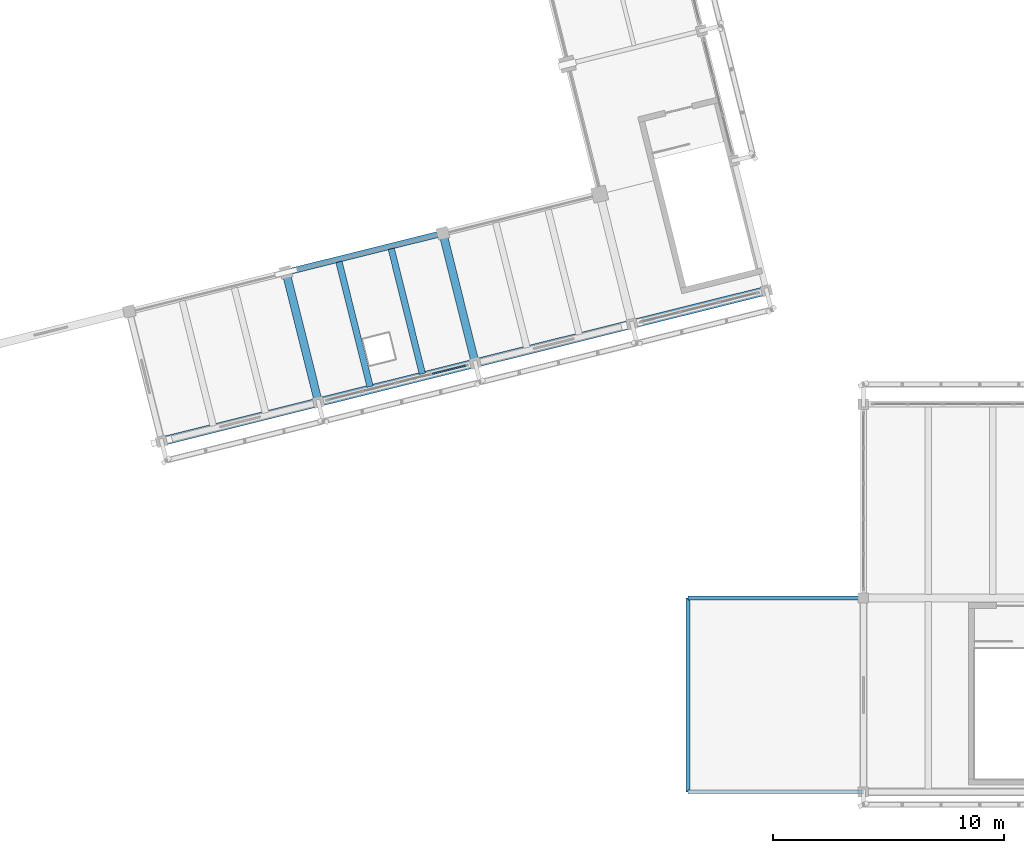
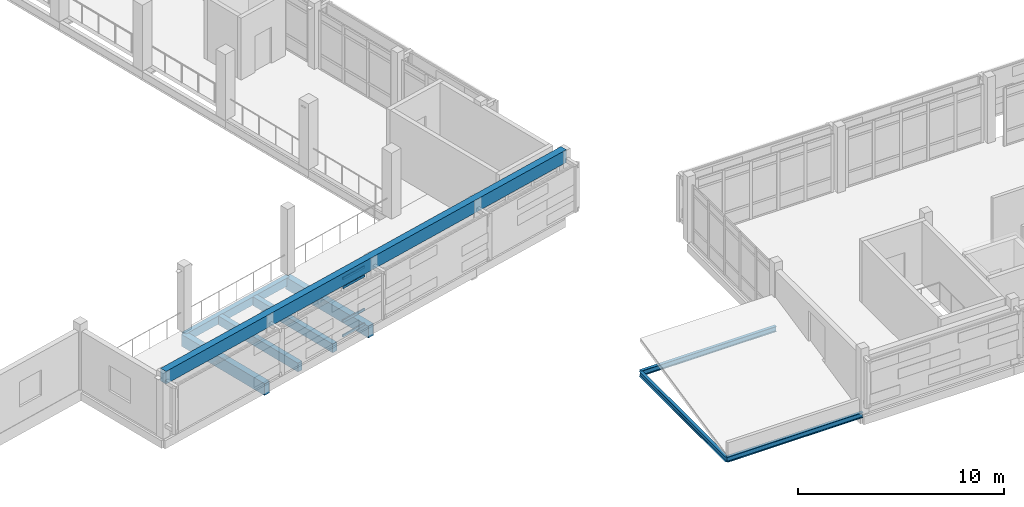
# One storey, part 8 of 117: 9 beams, 4 members, 1 element without a shape of its own.
"""IFC4 building model written with IfcOpenShell, lengths in metres."""

from ifc_helpers import new_model, si_unit, direction, frame, origin, origin_2d, place, context, subcontext, project, spatial, rectangle, i_section, extrude, material, material_profile, profile_set, type_object, element, aggregate, save


model = new_model("IFC4")

# Units and contexts
model_context = context("Model", 3, precision=1e-05, world=origin(), true_north=direction((0.0, 1.0)))
body_context = subcontext(model_context, "Body", "Model", "MODEL_VIEW")
ifc_project = project(units=[si_unit("LENGTHUNIT", "METRE"), si_unit("AREAUNIT", "SQUARE_METRE"), si_unit("VOLUMEUNIT", "CUBIC_METRE"), si_unit("PLANEANGLEUNIT", "RADIAN"), si_unit("MASSUNIT", "GRAM", prefix="KILO")], contexts=[model_context])

# Site, building, storey
site_placement = place(None, origin())
site = spatial("IfcSite", under=ifc_project, at=site_placement, CompositionType="ELEMENT")
building_placement = place(site_placement, origin())
building = spatial("IfcBuilding", under=site, at=building_placement, Name="Cinderway Yard Community Centre", CompositionType="ELEMENT")
storey_placement = place(building_placement, frame((0.0, 0.0, 9.0)))
storey = spatial("IfcBuildingStorey", under=building, at=storey_placement, Name="L02", CompositionType="ELEMENT", Elevation=9.0)

# Curtain wall, members
ifc_material_1 = material(Name="Aluminium 6063-T6", Category="aluminium")
curtain_wall_type = type_object("IfcCurtainWallType", Name="ENV-CW-TYPE-08", PredefinedType="USERDEFINED", material=ifc_material_1)
curtain_wall_placement = place(storey_placement, origin())
curtain_wall = element("IfcCurtainWall", 1, at=curtain_wall_placement, inside=storey, type_object=curtain_wall_type, Name="Sanctuary South Curtain Wall ENV-CW-L02-HS-0027", ObjectType="GLAZED CURTAIN WALL", PredefinedType="USERDEFINED")
ifc_material_profile_1 = material_profile(ifc_material_1, rectangle(XDim=0.06494140625, YDim=0.139892578125, at=origin_2d()), Name="Aluminium 6063-T6")
ifc_profile_set_1 = profile_set([ifc_material_profile_1], Name="Aluminium 6063-T6")
member_type = type_object("IfcMemberType", Name="ENV-CW-TRAN-140", PredefinedType="USERDEFINED", material=ifc_profile_set_1)
member_1_placement = place(storey_placement, frame((39.735595703125, 24.10693359375, 0.030029296875), z_axis=(0.970318108791, 0.241832106539, 0.0), x_axis=(-0.241832106539, 0.970318108791, 0.0)))
member_1 = element("IfcMember", 2, at=member_1_placement, type_object=member_type, Name="CW-08 transom 4.1", ObjectType="TRANSOM", PredefinedType="USERDEFINED", context=body_context, shape_type="SweptSolid", body=[
    extrude(rectangle(XDim=0.06494140625, YDim=0.139892578125, at=origin_2d()), origin(), (0.0, 0.0, 1.0), 1.469970703125),
])
member_2_placement = place(storey_placement, frame((39.735595703125, 24.10693359375, 0.89990234375), z_axis=(0.970318108791, 0.241832106539, 0.0), x_axis=(-0.241832106539, 0.970318108791, 0.0)))
member_2 = element("IfcMember", 3, at=member_2_placement, type_object=member_type, Name="CW-08 transom 4.2", ObjectType="TRANSOM", PredefinedType="USERDEFINED", context=body_context, shape_type="SweptSolid", body=[
    extrude(rectangle(XDim=0.06494140625, YDim=0.139892578125, at=origin_2d()), origin(), (0.0, 0.0, 1.0), 1.469970703125),
])
member_3_placement = place(storey_placement, frame((39.735595703125, 24.10693359375, 2.89990234375), z_axis=(0.970318108791, 0.241832106539, 0.0), x_axis=(-0.241832106539, 0.970318108791, 0.0)))
member_3 = element("IfcMember", 4, at=member_3_placement, type_object=member_type, Name="CW-08 transom 4.3", ObjectType="TRANSOM", PredefinedType="USERDEFINED", context=body_context, shape_type="SweptSolid", body=[
    extrude(rectangle(XDim=0.06494140625, YDim=0.139892578125, at=origin_2d()), origin(), (0.0, 0.0, 1.0), 1.469970703125),
])
member_4_placement = place(storey_placement, frame((39.735595703125, 24.10693359375, 3.419921875), z_axis=(0.970318108791, 0.241832106539, 0.0), x_axis=(-0.241832106539, 0.970318108791, 0.0)))
member_4 = element("IfcMember", 5, at=member_4_placement, type_object=member_type, Name="CW-08 transom 4.4", ObjectType="TRANSOM", PredefinedType="USERDEFINED", context=body_context, shape_type="SweptSolid", body=[
    extrude(rectangle(XDim=0.06494140625, YDim=0.139892578125, at=origin_2d()), origin(), (0.0, 0.0, 1.0), 1.469970703125),
])
aggregate(curtain_wall, [member_1, member_2, member_3, member_4])

# Beams
ifc_material_2 = material(Name="Concrete C40/50", Category="concrete")
ifc_material_profile_2 = material_profile(ifc_material_2, rectangle(XDim=0.260009765625, YDim=0.47998046875, at=origin_2d()), Name="Concrete C40/50")
ifc_profile_set_2 = profile_set([ifc_material_profile_2], Name="Concrete C40/50")
beam_type_1 = type_object("IfcBeamType", Name="STR-BM-RC260X480", PredefinedType="SPANDREL", material=ifc_profile_set_2)
beam_1_placement = place(storey_placement, frame((33.39404296875, 28.50390625, -0.47998046875), z_axis=(0.970306409839, 0.241879042136, 0.0), x_axis=(-0.241879042136, 0.970306409839, 0.0)))
element("IfcBeam", 6, at=beam_1_placement, inside=storey, type_object=beam_type_1, Name="Primary girder STR-BM-L02-SP01-0330", PredefinedType="SPANDREL", context=body_context, shape_type="SweptSolid", body=[
    extrude(rectangle(XDim=0.260009765625, YDim=0.47998046875, at=origin_2d()), origin(), (0.0, 0.0, 1.0), 6.999755859375),
])
ifc_material_3 = material(Name="Concrete C35/45", Category="concrete")
ifc_material_profile_3 = material_profile(ifc_material_3, rectangle(XDim=0.280029296875, YDim=0.52001953125, at=origin_2d()), Name="Concrete C35/45")
ifc_profile_set_3 = profile_set([ifc_material_profile_3], Name="Concrete C35/45")
beam_type_2 = type_object("IfcBeamType", Name="STR-BM-RC280X520", PredefinedType="JOIST", material=ifc_profile_set_3)
beam_2_placement = place(storey_placement, frame((37.033935546875, 23.549072265625, -0.5), z_axis=(-0.241886591041, 0.970304528009, 0.0), x_axis=(-0.970304528009, -0.241886591041, 0.0)))
element("IfcBeam", 7, at=beam_2_placement, inside=storey, type_object=beam_type_2, Name="Secondary joist STR-BM-L02-BJ04-0339", PredefinedType="JOIST", context=body_context, shape_type="SweptSolid", body=[
    extrude(rectangle(XDim=0.280029296875, YDim=0.52001953125, at=origin_2d()), origin(), (0.0, 0.0, 1.0), 5.576416015625),
])
beam_3_placement = place(storey_placement, frame((39.298095703125, 24.114013671875, -0.5), z_axis=(-0.241968923775, 0.970283999624, 0.0), x_axis=(-0.970283999624, -0.241968923775, 0.0)))
element("IfcBeam", 8, at=beam_3_placement, inside=storey, type_object=beam_type_2, Name="Secondary joist STR-BM-L02-BJ04-0340", PredefinedType="JOIST", context=body_context, shape_type="SweptSolid", body=[
    extrude(rectangle(XDim=0.280029296875, YDim=0.52001953125, at=origin_2d()), origin(), (0.0, 0.0, 1.0), 5.57568359375),
])
ifc_material_profile_4 = material_profile(ifc_material_3, rectangle(XDim=0.35009765625, YDim=0.699951171875, at=origin_2d()), Name="Concrete C35/45")
ifc_profile_set_4 = profile_set([ifc_material_profile_4], Name="Concrete C35/45")
beam_type_3 = type_object("IfcBeamType", Name="STR-BM-RC350X700", PredefinedType="BEAM", material=ifc_profile_set_4)
for number, where, z_axis, x_axis, name in (
    (9, (34.797119140625, 22.8759765625, -0.590087890625), (-0.2419017199, 0.97030075642, 0.0), (-0.97030075642, -0.2419017199, 0.0), "Transverse girder STR-BM-L02-BG07-0333"),
    (10, (41.589111328125, 24.569091796875, -0.590087890625), (-0.2419017199, 0.97030075642, 0.0), (-0.97030075642, -0.2419017199, 0.0), "Transverse girder STR-BM-L02-BG07-0334"),
):
    element("IfcBeam", number, at=place(storey_placement, frame(where, z_axis=z_axis, x_axis=x_axis)), inside=storey, type_object=beam_type_3, Name=name, PredefinedType="BEAM", context=body_context, shape_type="SweptSolid", body=[
        extrude(rectangle(XDim=0.35009765625, YDim=0.699951171875, at=origin_2d()), origin(), (0.0, 0.0, 1.0), 5.80029296875),
    ])
ifc_material_profile_5 = material_profile(ifc_material_3, rectangle(XDim=0.3798828125, YDim=0.75, at=origin_2d()), Name="Concrete C35/45")
ifc_profile_set_5 = profile_set([ifc_material_profile_5], Name="Concrete C35/45")
beam_type_4 = type_object("IfcBeamType", Name="STR-BM-RC380X750", PredefinedType="BEAM", material=ifc_profile_set_5)
beam_4_placement = place(storey_placement, frame((28.0048828125, 21.18310546875, 3.52490234375), z_axis=(0.970303451881, 0.241890907781, 0.0), x_axis=(-0.241890907781, 0.970303451881, 0.0)))
element("IfcBeam", 11, at=beam_4_placement, inside=storey, type_object=beam_type_4, Name="V1 annex eave girder STR-BM-L02-BG06-1008", PredefinedType="BEAM", context=body_context, shape_type="SweptSolid", body=[
    extrude(rectangle(XDim=0.3798828125, YDim=0.75, at=origin_2d()), origin(), (0.0, 0.0, 1.0), 26.999755859375),
])
ifc_material_4 = material(Name="Steel S355", Category="steel")
ifc_material_profile_6 = material_profile(ifc_material_4, i_section(OverallWidth=0.166015625, OverallDepth=0.31298828125, WebThickness=0.006591796875, FlangeThickness=0.01123046875, FilletRadius=0.010009765625, at=origin_2d()), Name="Steel S355")
ifc_profile_set_6 = profile_set([ifc_material_profile_6], Name="Steel S355")
beam_type_5 = type_object("IfcBeamType", Name="STR-BM-W310X45", PredefinedType="SPANDREL", material=ifc_profile_set_6)
for number, where, z_axis, x_axis, name in (
    (12, (50.800048828125, 6.0, -0.156005859375), (1.0, 0.0, 0.0), (0.0, 1.0, 0.0), "Arcade canopy tie STR-BM-L02-SS01-1149"),
    (13, (50.800048828125, 14.39990234375, -0.156005859375), (1.0, 0.0, 0.0), (0.0, 1.0, 0.0), "Arcade canopy tie STR-BM-L02-SS01-1150"),
):
    element("IfcBeam", number, at=place(storey_placement, frame(where, z_axis=z_axis, x_axis=x_axis)), inside=storey, type_object=beam_type_5, Name=name, PredefinedType="SPANDREL", context=body_context, shape_type="SweptSolid", body=[
        extrude(i_section(OverallWidth=0.166015625, OverallDepth=0.31298828125, WebThickness=0.006591796875, FlangeThickness=0.01123046875, FilletRadius=0.010009765625, at=origin_2d()), origin(), (0.0, 0.0, 1.0), 7.599853515625),
    ])
beam_5_placement = place(storey_placement, frame((50.800048828125, 6.0, -0.156005859375), z_axis=(0.0, 1.0, 0.0), x_axis=(-1.0, 0.0, 0.0)))
element("IfcBeam", 14, at=beam_5_placement, inside=storey, type_object=beam_type_5, Name="Arcade canopy tie STR-BM-L02-SS01-1151", PredefinedType="SPANDREL", context=body_context, shape_type="SweptSolid", body=[
    extrude(i_section(OverallWidth=0.166015625, OverallDepth=0.31298828125, WebThickness=0.006591796875, FlangeThickness=0.01123046875, FilletRadius=0.010009765625, at=origin_2d()), origin(), (0.0, 0.0, 1.0), 8.39990234375),
])

save(model, "model.ifc")
